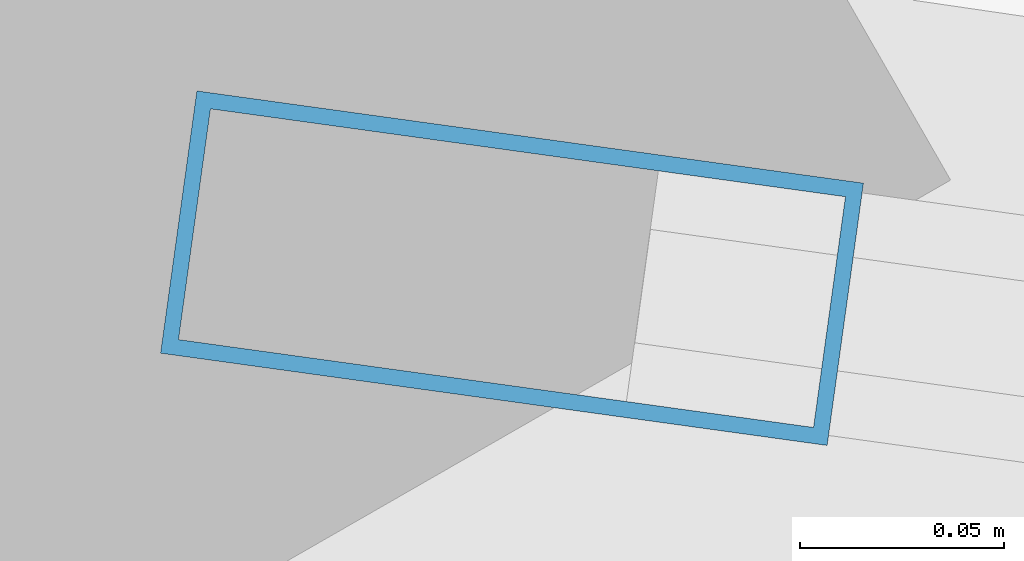
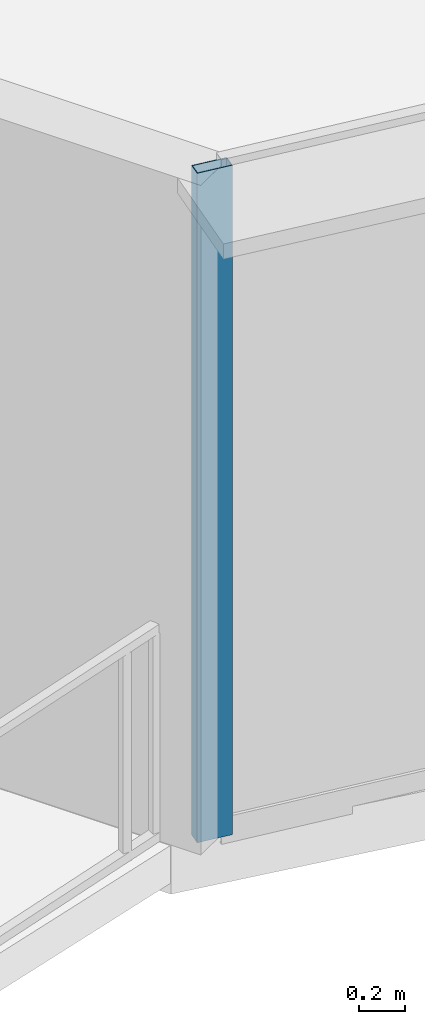
# One storey, part 2 of 36: 1 member, 1 element without a shape of its own.
"""IFC4 building model written with IfcOpenShell, lengths in metres."""

from ifc_helpers import new_model, si_unit, direction, frame, origin, origin_2d, place, context, subcontext, project, spatial, hollow_rectangle, extrude, source, transform, mapped, material, layer, layer_set, material_profile, profile_set, type_object, element, aggregate, save


model = new_model("IFC4")

# Units and contexts
model_context = context("Model", 3, precision=1e-05, world=origin(), true_north=direction((0.0, 1.0)))
body_context = subcontext(model_context, "Body", "Model", "MODEL_VIEW")
ifc_project = project(units=[si_unit("LENGTHUNIT", "METRE"), si_unit("AREAUNIT", "SQUARE_METRE"), si_unit("VOLUMEUNIT", "CUBIC_METRE"), si_unit("PLANEANGLEUNIT", "RADIAN"), si_unit("MASSUNIT", "GRAM", prefix="KILO"), si_unit("THERMODYNAMICTEMPERATUREUNIT", "KELVIN"), si_unit("POWERUNIT", "WATT")], contexts=[model_context])

# Site, building, storey
site_placement = place(None, origin())
site = spatial("IfcSite", under=ifc_project, at=site_placement, CompositionType="ELEMENT")
building_placement = place(site_placement, origin())
building = spatial("IfcBuilding", under=site, at=building_placement, Name="Yunzhuo Pagoda Commons", CompositionType="ELEMENT")
storey_placement = place(building_placement, frame((0.0, 0.0, 103.97998046875)))
storey = spatial("IfcBuildingStorey", under=building, at=storey_placement, Name="L26", CompositionType="ELEMENT", Elevation=103.97998046875)

# Curtain wall, member
ifc_material = material(Name="Anodized aluminium 6063-T6", Category="aluminium")
ifc_layer = layer(ifc_material, 0.1650390625)
ifc_layer_set = layer_set([ifc_layer], Name="Anodized aluminium 6063-T6")
curtain_wall_type = type_object("IfcCurtainWallType", Name="CW-LOW Low-Zone Ribbon Curtain Wall", PredefinedType="NOTDEFINED", material=ifc_layer_set)
curtain_wall_placement = place(storey_placement, origin())
curtain_wall = element("IfcCurtainWall", 1, at=curtain_wall_placement, inside=storey, type_object=curtain_wall_type, Name="L26 curtain wall CW-L26-F1B1", PredefinedType="NOTDEFINED")
ifc_material_profile = material_profile(ifc_material, hollow_rectangle(XDim=0.06494140625, YDim=0.1650390625, WallThickness=0.00390625, at=origin_2d()), Name="Anodized aluminium 6063-T6")
ifc_profile_set = profile_set([ifc_material_profile], Name="Anodized aluminium 6063-T6")
member_type = type_object("IfcMemberType", Name="CW-LOW-M Mullion RHS 165x65x4", PredefinedType="MULLION", material=ifc_profile_set)
shared_shape = source(origin(), body_context, "Body", "SweptSolid", [
    extrude(hollow_rectangle(XDim=0.06494140625, YDim=0.1650390625, WallThickness=0.00390625, at=origin_2d()), origin(), (0.0, 0.0, 1.0), 3.5400390625),
])
member_placement = place(storey_placement, frame((11.16943359375, 15.470947265625, 0.000244140625), z_axis=(0.0, 0.0, 1.0), x_axis=(0.137082225692, 0.990559671801, 0.0)))
member = element("IfcMember", 2, at=member_placement, type_object=member_type, Name="CW mullion 1", PredefinedType="MULLION", context=body_context, shape_type="MappedRepresentation", body=[
    mapped(shared_shape, transform((0.0, 0.0, 0.0), scale=1.0)),
])
aggregate(curtain_wall, [member])

save(model, "model.ifc")
